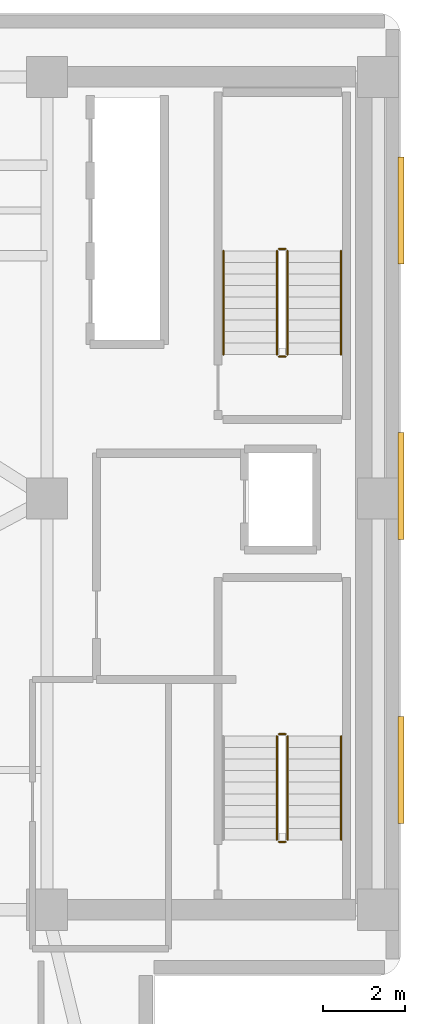
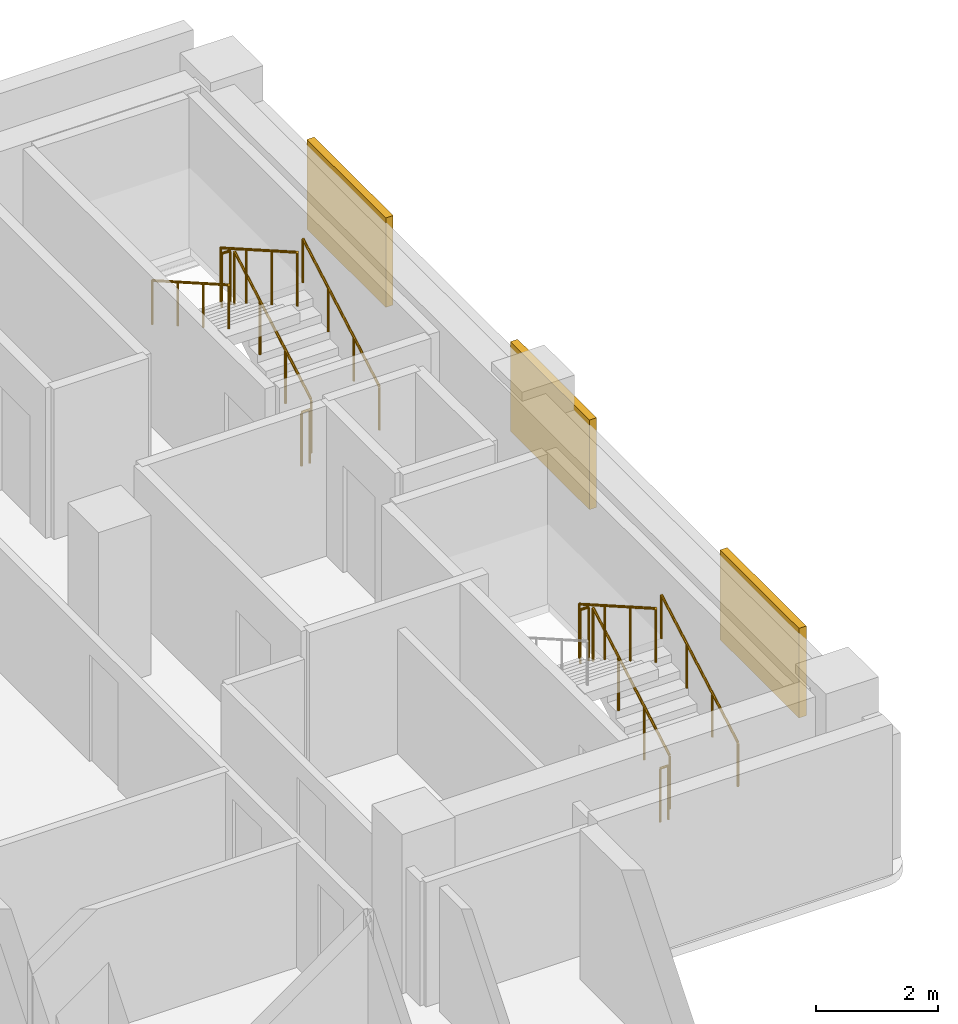
# One storey, part 17 of 17: 11 railings, 3 shading devices.
"""IFC4 building model written with IfcOpenShell, lengths in metres."""

import ifcopenshell
import ifcopenshell.guid

model = None  # the IFC model being written
_history = None  # IfcOwnerHistory: only IFC2X3 demands one
_inside = {}  # id of a spatial element -> (the spatial element, [elements in it])
_under = {}  # id of a project, library or spatial element -> (it, [spatial elements below it])
_declared = {}  # id of a project -> (the project, [libraries it declares])
_typed = {}  # id of a type object -> (the type object, [elements of that type])
_made_of = {}  # id of a material, layer set ... -> (it, [elements and type objects made of it])


def new_model(schema):
    """Start an empty IFC model of exactly this schema.

    Asked for "IFC4X3", IfcOpenShell would pick the latest addendum, in which some entities
    have other attributes; the version numbers below select the first issue.
    IFC2X3 requires an IfcOwnerHistory on every rooted entity: one is made here for all.
    """
    global model, _history
    if schema == "IFC4X3":
        model = ifcopenshell.file(schema_version=(4, 3, 0, 0))
    else:
        model = ifcopenshell.file(schema=schema)
    _inside.clear()
    _under.clear()
    _declared.clear()
    _typed.clear()
    _made_of.clear()
    _history = None
    if model.schema == "IFC2X3":
        org = make("IfcOrganization", Name="unknown")
        user = make(
            "IfcPersonAndOrganization",
            ThePerson=make("IfcPerson", FamilyName="unknown"),
            TheOrganization=org,
        )
        app = make(
            "IfcApplication",
            ApplicationDeveloper=org,
            Version="unknown",
            ApplicationFullName="unknown",
            ApplicationIdentifier="unknown",
        )
        _history = make(
            "IfcOwnerHistory",
            OwningUser=user,
            OwningApplication=app,
            ChangeAction="ADDED",
            CreationDate=0,
        )
    return model


def make(cls, **values):
    """One entity of the class cls with the attributes given. An attribute that is None is left unset."""
    return model.create_entity(
        cls, **{name: value for name, value in values.items() if value is not None}
    )


def rooted(cls, **values):
    """An entity with a GlobalId (a new one), such as an element, a storey or a relation."""
    return make(cls, GlobalId=ifcopenshell.guid.new(), OwnerHistory=_history, **values)


def si_unit(unit_type, name, prefix=None):
    """IfcSIUnit, for example si_unit("LENGTHUNIT", "METRE", prefix="MILLI")."""
    return make("IfcSIUnit", UnitType=unit_type, Prefix=prefix, Name=name)


def assignment(units):
    """IfcUnitAssignment: the units of a project."""
    return None if units is None else make("IfcUnitAssignment", Units=units)


def point(xyz):
    """IfcCartesianPoint."""
    return None if xyz is None else make("IfcCartesianPoint", Coordinates=xyz)


def direction(xyz):
    """IfcDirection."""
    return None if xyz is None else make("IfcDirection", DirectionRatios=xyz)


def frame(location, z_axis=None, x_axis=None):
    """IfcAxis2Placement3D, a coordinate frame: its origin and axes. An axis left out is left unset."""
    return make(
        "IfcAxis2Placement3D",
        Location=point(location),
        Axis=direction(z_axis),
        RefDirection=direction(x_axis),
    )


def frame_2d(location, x_axis=None):
    """IfcAxis2Placement2D, a coordinate frame in the plane: its origin and x axis."""
    return make(
        "IfcAxis2Placement2D", Location=point(location), RefDirection=direction(x_axis)
    )


def origin():
    """The frame at (0, 0, 0) with its axes left unset."""
    return frame((0.0, 0.0, 0.0))


def origin_2d():
    """The frame at (0, 0) in the plane with its x axis left unset."""
    return frame_2d((0.0, 0.0))


def place(relative_to, where):
    """IfcLocalPlacement: puts the frame where relative to a parent placement (None: the world)."""
    return make(
        "IfcLocalPlacement", PlacementRelTo=relative_to, RelativePlacement=where
    )


def context(
    kind, dimensions, precision=None, world=None, true_north=None, identifier=None
):
    """IfcGeometricRepresentationContext, for example the 3D "Model" context."""
    return make(
        "IfcGeometricRepresentationContext",
        ContextIdentifier=identifier,
        ContextType=kind,
        CoordinateSpaceDimension=dimensions,
        Precision=precision,
        WorldCoordinateSystem=world,
        TrueNorth=true_north,
    )


def subcontext(parent, identifier, kind, view, scale=None):
    """IfcGeometricRepresentationSubContext, for example "Body" below "Model"."""
    return make(
        "IfcGeometricRepresentationSubContext",
        ContextIdentifier=identifier,
        ContextType=kind,
        ParentContext=parent,
        TargetScale=scale,
        TargetView=view,
    )


def project(units=None, contexts=None):
    """IfcProject with its units and contexts."""
    return rooted(
        "IfcProject",
        Name="project",
        RepresentationContexts=contexts,
        UnitsInContext=assignment(units),
    )


def spatial(cls, under=None, at=None, **own):
    """A site, building, storey or space (cls), placed at a placement, below another one or the project."""
    s = rooted(cls, ObjectPlacement=at, **own)
    if under is not None:
        _under.setdefault(under.id(), (under, []))[1].append(s)
    return s


def profile(cls, at=None, kind="AREA", **sizes):
    """A parametric profile (cls). Its sizes go by their IFC names, for example OverallWidth=200.0."""
    return make(cls, ProfileType=kind, Position=at, **sizes)


def rectangle(**sizes):
    """IfcRectangleProfileDef."""
    return profile("IfcRectangleProfileDef", **sizes)


def circle(**sizes):
    """IfcCircleProfileDef."""
    return profile("IfcCircleProfileDef", **sizes)


def extrude(swept, where, along, depth):
    """IfcExtrudedAreaSolid: the profile swept, set in the frame where, extruded along a direction by depth."""
    return make(
        "IfcExtrudedAreaSolid",
        SweptArea=swept,
        Position=where,
        ExtrudedDirection=direction(along),
        Depth=depth,
    )


def shape(context_of_items, identifier, shape_type, items):
    """IfcShapeRepresentation: the items that make up one representation, for example the "Body"."""
    return make(
        "IfcShapeRepresentation",
        ContextOfItems=context_of_items,
        RepresentationIdentifier=identifier,
        RepresentationType=shape_type,
        Items=items,
    )


def material(Name=None, Category=None):
    """IfcMaterial."""
    return make("IfcMaterial", Name=Name, Category=Category)


def layer(
    of_material, thickness, ventilated=None, Name=None, Category=None, Priority=None
):
    """IfcMaterialLayer: one layer of a wall or slab, of a material (None: an air gap)."""
    return make(
        "IfcMaterialLayer",
        Material=of_material,
        LayerThickness=thickness,
        IsVentilated=ventilated,
        Name=Name,
        Category=Category,
        Priority=Priority,
    )


def layer_set(layers, Name=None):
    """IfcMaterialLayerSet."""
    return make("IfcMaterialLayerSet", MaterialLayers=layers, LayerSetName=Name)


def made_of(thing, what):
    """Note that an element or type object is made of a material, layer set ...; save() writes the relation."""
    if what is not None:
        _made_of.setdefault(what.id(), (what, []))[1].append(thing)
    return thing


def type_object(cls, material=None, **own):
    """A type object (cls), such as IfcWallType, which elements share."""
    return made_of(rooted(cls, **own), material)


def element(
    cls,
    number,
    at=None,
    inside=None,
    cuts=None,
    type_object=None,
    material=None,
    context=None,
    identifier="Body",
    shape_type=None,
    held_by="IfcProductDefinitionShape",
    body=None,
    shapes=None,
    **own,
):
    """One element of the class cls, such as IfcWall. Its Tag is "e" and its number.

    at: its placement. inside: the storey or other place that contains it. cuts: it is an
    opening in that element (IfcRelVoidsElement). A single representation is given by context,
    identifier, shape_type and body (its items); several are given by shapes. held_by: the class
    of the entity that holds the representations. save() writes the other relations.
    """
    e = rooted(cls, Tag="e%d" % number, ObjectPlacement=at, **own)
    if body is not None:
        shapes = [shape(context, identifier, shape_type, body)]
    if shapes is not None:
        e.Representation = make(held_by, Representations=shapes)
    if inside is not None:
        _inside.setdefault(inside.id(), (inside, []))[1].append(e)
    if cuts is not None:
        rooted(
            "IfcRelVoidsElement", RelatingBuildingElement=cuts, RelatedOpeningElement=e
        )
    if type_object is not None:
        _typed.setdefault(type_object.id(), (type_object, []))[1].append(e)
    return made_of(e, material)


def aggregate(whole, parts):
    """IfcRelAggregates: a whole, such as a stair, and the parts it consists of."""
    return rooted("IfcRelAggregates", RelatingObject=whole, RelatedObjects=parts)


def save(model, path):
    """Write the relations noted so far, then the file.

    IfcRelAggregates (storeys below a building ...), IfcRelContainedInSpatialStructure (elements
    in a storey), IfcRelDefinesByType, IfcRelAssociatesMaterial and IfcRelDeclares: one each for
    every whole, place, type object, material and project.
    """
    for whole, parts in _under.values():
        aggregate(whole, parts)
    for where, things in _inside.values():
        rooted(
            "IfcRelContainedInSpatialStructure",
            RelatedElements=things,
            RelatingStructure=where,
        )
    for kind, things in _typed.values():
        rooted("IfcRelDefinesByType", RelatedObjects=things, RelatingType=kind)
    for what, things in _made_of.values():
        rooted("IfcRelAssociatesMaterial", RelatedObjects=things, RelatingMaterial=what)
    for by, libraries in _declared.values():
        rooted("IfcRelDeclares", RelatingContext=by, RelatedDefinitions=libraries)
    model.write(path)


model = new_model("IFC4")

# Units and contexts
model_context = context("Model", 3, precision=1e-05, world=origin(), true_north=direction((0.0, 1.0)))
body_context = subcontext(model_context, "Body", "Model", "MODEL_VIEW")
ifc_project = project(units=[si_unit("LENGTHUNIT", "METRE"), si_unit("AREAUNIT", "SQUARE_METRE"), si_unit("VOLUMEUNIT", "CUBIC_METRE"), si_unit("PLANEANGLEUNIT", "RADIAN"), si_unit("MASSUNIT", "GRAM", prefix="KILO")], contexts=[model_context])

# Site, building, storey
site_placement = place(None, origin())
site = spatial("IfcSite", under=ifc_project, at=site_placement, CompositionType="ELEMENT")
building_placement = place(site_placement, origin())
building = spatial("IfcBuilding", under=site, at=building_placement, Name="Kuzgunbayir Cultural Tower", CompositionType="ELEMENT")
storey_placement = place(building_placement, frame((0.0, 0.0, 43.60009765625)))
storey = spatial("IfcBuildingStorey", under=building, at=storey_placement, Name="L11", CompositionType="ELEMENT", Elevation=43.60009765625)

# Railings
ifc_material_1 = material(Name="Brushed Stainless Steel", Category="steel")
ifc_layer_1 = layer(ifc_material_1, 0.050048828125)
ifc_layer_set_1 = layer_set([ifc_layer_1], Name="Brushed Stainless Steel")
railing_type_1 = type_object("IfcRailingType", Name="RLG-STAIR-HANDRAIL", PredefinedType="HANDRAIL", material=ifc_layer_set_1)
for number, where, name in (
    (1, (71.75, 23.699951171875, 0.159912109375), "L11 ST-3 stair handrail 1"),
    (2, (71.75, 35.5, 0.159912109375), "L11 ST-4 stair handrail 1"),
):
    element("IfcRailing", number, at=place(storey_placement, frame(where)), inside=storey, type_object=railing_type_1, Name=name, PredefinedType="HANDRAIL", context=body_context, shape_type="SweptSolid", body=[
        extrude(circle(Radius=0.02392578125, at=origin_2d()), frame((0.0, 0.0, 0.8759765625), z_axis=(0.0, 0.868253494771, 0.496120820787), x_axis=(-1.0, 0.0, 0.0)), (0.0, 0.0, 1.0), 2.90234375),
        extrude(circle(Radius=0.02099609375, at=origin_2d()), origin(), (0.0, 0.0, 1.0), 0.851806640625),
        extrude(circle(Radius=0.02099609375, at=origin_2d()), frame((0.0, 0.840087890625, 0.47998046875)), (0.0, 0.0, 1.0), 0.851806640625),
        extrude(circle(Radius=0.02099609375, at=origin_2d()), frame((0.0, 1.679931640625, 0.9599609375)), (0.0, 0.0, 1.0), 0.851806640625),
        extrude(circle(Radius=0.02099609375, at=origin_2d()), frame((0.0, 2.52001953125, 1.43994140625)), (0.0, 0.0, 1.0), 0.851806640625),
    ])
railing_1_placement = place(storey_placement, frame((68.889892578125, 38.02001953125, 1.760009765625)))
element("IfcRailing", 3, at=railing_1_placement, inside=storey, type_object=railing_type_1, Name="L11 ST-4 stair handrail 2", PredefinedType="HANDRAIL", context=body_context, shape_type="SweptSolid", body=[
    extrude(circle(Radius=0.02392578125, at=origin_2d()), frame((0.0, 0.0, 0.8759765625), z_axis=(0.0, -0.868253494771, 0.496120820787), x_axis=(1.0, 0.0, 0.0)), (0.0, 0.0, 1.0), 2.90234375),
    extrude(circle(Radius=0.02099609375, at=origin_2d()), origin(), (0.0, 0.0, 1.0), 0.851806640625),
    extrude(circle(Radius=0.02099609375, at=origin_2d()), frame((0.0, -0.840087890625, 0.47998046875)), (0.0, 0.0, 1.0), 0.851806640625),
    extrude(circle(Radius=0.02099609375, at=origin_2d()), frame((0.0, -1.679931640625, 0.9599609375)), (0.0, 0.0, 1.0), 0.851806640625),
    extrude(circle(Radius=0.02099609375, at=origin_2d()), frame((0.0, -2.52001953125, 1.43994140625)), (0.0, 0.0, 1.0), 0.851806640625),
])
ifc_material_2 = material(Name="Painted Steel Balustrade", Category="steel")
ifc_layer_2 = layer(ifc_material_2, 0.06005859375)
ifc_layer_set_2 = layer_set([ifc_layer_2], Name="Painted Steel Balustrade")
railing_type_2 = type_object("IfcRailingType", Name="RLG-WELL-GUARD", PredefinedType="GUARDRAIL", material=ifc_layer_set_2)
railing_2_placement = place(storey_placement, frame((70.449951171875, 23.699951171875, 0.159912109375)))
element("IfcRailing", 4, at=railing_2_placement, inside=storey, type_object=railing_type_2, Name="L11 ST-3 stair guard 1", PredefinedType="GUARDRAIL", context=body_context, shape_type="SweptSolid", body=[
    extrude(circle(Radius=0.02392578125, at=origin_2d()), frame((0.0, 0.0, 1.076171875), z_axis=(0.0, 0.868253494771, 0.496120820787), x_axis=(-1.0, 0.0, 0.0)), (0.0, 0.0, 1.0), 2.90234375),
    extrude(circle(Radius=0.02099609375, at=origin_2d()), origin(), (0.0, 0.0, 1.0), 1.052001953125),
    extrude(circle(Radius=0.02099609375, at=origin_2d()), frame((0.0, 0.840087890625, 0.47998046875)), (0.0, 0.0, 1.0), 1.052001953125),
    extrude(circle(Radius=0.02099609375, at=origin_2d()), frame((0.0, 1.679931640625, 0.9599609375)), (0.0, 0.0, 1.0), 1.052001953125),
    extrude(circle(Radius=0.02099609375, at=origin_2d()), frame((0.0, 2.52001953125, 1.43994140625)), (0.0, 0.0, 1.0), 1.052001953125),
])
railing_3_placement = place(storey_placement, frame((70.39990234375, 26.27001953125, 1.599853515625)))
element("IfcRailing", 5, at=railing_3_placement, inside=storey, type_object=railing_type_2, Name="L11 ST-3 stair guard 2", PredefinedType="GUARDRAIL", context=body_context, shape_type="SweptSolid", body=[
    extrude(circle(Radius=0.02392578125, at=origin_2d()), frame((0.0, 0.0, 1.076171875), z_axis=(-1.0, 0.0, 0.0), x_axis=(0.0, -1.0, 0.0)), (0.0, 0.0, 1.0), 0.159912109375),
    extrude(circle(Radius=0.02099609375, at=origin_2d()), origin(), (0.0, 0.0, 1.0), 1.052001953125),
    extrude(circle(Radius=0.02099609375, at=origin_2d()), frame((-0.159912109375, 0.0, 0.0)), (0.0, 0.0, 1.0), 1.052001953125),
])
railing_4_placement = place(storey_placement, frame((70.18994140625, 26.219970703125, 1.760009765625)))
element("IfcRailing", 6, at=railing_4_placement, inside=storey, type_object=railing_type_2, Name="L11 ST-3 stair guard 3", PredefinedType="GUARDRAIL", context=body_context, shape_type="SweptSolid", body=[
    extrude(circle(Radius=0.02392578125, at=origin_2d()), frame((0.0, 0.0, 1.076171875), z_axis=(0.0, -0.868253494771, 0.496120820787), x_axis=(1.0, 0.0, 0.0)), (0.0, 0.0, 1.0), 2.90234375),
    extrude(circle(Radius=0.02099609375, at=origin_2d()), origin(), (0.0, 0.0, 1.0), 1.052001953125),
    extrude(circle(Radius=0.02099609375, at=origin_2d()), frame((0.0, -0.840087890625, 0.47998046875)), (0.0, 0.0, 1.0), 1.052001953125),
    extrude(circle(Radius=0.02099609375, at=origin_2d()), frame((0.0, -1.679931640625, 0.9599609375)), (0.0, 0.0, 1.0), 1.052001953125),
    extrude(circle(Radius=0.02099609375, at=origin_2d()), frame((0.0, -2.52001953125, 1.43994140625)), (0.0, 0.0, 1.0), 1.052001953125),
])
railing_5_placement = place(storey_placement, frame((70.39990234375, 23.64990234375, 0.0)))
element("IfcRailing", 7, at=railing_5_placement, inside=storey, type_object=railing_type_2, Name="L11 ST-3 stair guard 4", PredefinedType="GUARDRAIL", context=body_context, shape_type="SweptSolid", body=[
    extrude(circle(Radius=0.02392578125, at=origin_2d()), frame((0.0, 0.0, 1.076171875), z_axis=(-1.0, 0.0, 0.0), x_axis=(0.0, -1.0, 0.0)), (0.0, 0.0, 1.0), 0.159912109375),
    extrude(circle(Radius=0.02099609375, at=origin_2d()), origin(), (0.0, 0.0, 1.0), 1.052001953125),
    extrude(circle(Radius=0.02099609375, at=origin_2d()), frame((-0.159912109375, 0.0, 0.0)), (0.0, 0.0, 1.0), 1.052001953125),
])
railing_6_placement = place(storey_placement, frame((70.449951171875, 35.5, 0.159912109375)))
element("IfcRailing", 8, at=railing_6_placement, inside=storey, type_object=railing_type_2, Name="L11 ST-4 stair guard 1", PredefinedType="GUARDRAIL", context=body_context, shape_type="SweptSolid", body=[
    extrude(circle(Radius=0.02392578125, at=origin_2d()), frame((0.0, 0.0, 1.076171875), z_axis=(0.0, 0.868253494771, 0.496120820787), x_axis=(-1.0, 0.0, 0.0)), (0.0, 0.0, 1.0), 2.90234375),
    extrude(circle(Radius=0.02099609375, at=origin_2d()), origin(), (0.0, 0.0, 1.0), 1.052001953125),
    extrude(circle(Radius=0.02099609375, at=origin_2d()), frame((0.0, 0.840087890625, 0.47998046875)), (0.0, 0.0, 1.0), 1.052001953125),
    extrude(circle(Radius=0.02099609375, at=origin_2d()), frame((0.0, 1.679931640625, 0.9599609375)), (0.0, 0.0, 1.0), 1.052001953125),
    extrude(circle(Radius=0.02099609375, at=origin_2d()), frame((0.0, 2.52001953125, 1.43994140625)), (0.0, 0.0, 1.0), 1.052001953125),
])
railing_7_placement = place(storey_placement, frame((70.39990234375, 38.070068359375, 1.599853515625)))
element("IfcRailing", 9, at=railing_7_placement, inside=storey, type_object=railing_type_2, Name="L11 ST-4 stair guard 2", PredefinedType="GUARDRAIL", context=body_context, shape_type="SweptSolid", body=[
    extrude(circle(Radius=0.02392578125, at=origin_2d()), frame((0.0, 0.0, 1.076171875), z_axis=(-1.0, 0.0, 0.0), x_axis=(0.0, -1.0, 0.0)), (0.0, 0.0, 1.0), 0.159912109375),
    extrude(circle(Radius=0.02099609375, at=origin_2d()), origin(), (0.0, 0.0, 1.0), 1.052001953125),
    extrude(circle(Radius=0.02099609375, at=origin_2d()), frame((-0.159912109375, 0.0, 0.0)), (0.0, 0.0, 1.0), 1.052001953125),
])
railing_8_placement = place(storey_placement, frame((70.18994140625, 38.02001953125, 1.760009765625)))
element("IfcRailing", 10, at=railing_8_placement, inside=storey, type_object=railing_type_2, Name="L11 ST-4 stair guard 3", PredefinedType="GUARDRAIL", context=body_context, shape_type="SweptSolid", body=[
    extrude(circle(Radius=0.02392578125, at=origin_2d()), frame((0.0, 0.0, 1.076171875), z_axis=(0.0, -0.868253494771, 0.496120820787), x_axis=(1.0, 0.0, 0.0)), (0.0, 0.0, 1.0), 2.90234375),
    extrude(circle(Radius=0.02099609375, at=origin_2d()), origin(), (0.0, 0.0, 1.0), 1.052001953125),
    extrude(circle(Radius=0.02099609375, at=origin_2d()), frame((0.0, -0.840087890625, 0.47998046875)), (0.0, 0.0, 1.0), 1.052001953125),
    extrude(circle(Radius=0.02099609375, at=origin_2d()), frame((0.0, -1.679931640625, 0.9599609375)), (0.0, 0.0, 1.0), 1.052001953125),
    extrude(circle(Radius=0.02099609375, at=origin_2d()), frame((0.0, -2.52001953125, 1.43994140625)), (0.0, 0.0, 1.0), 1.052001953125),
])
railing_9_placement = place(storey_placement, frame((70.39990234375, 35.449951171875, 0.0)))
element("IfcRailing", 11, at=railing_9_placement, inside=storey, type_object=railing_type_2, Name="L11 ST-4 stair guard 4", PredefinedType="GUARDRAIL", context=body_context, shape_type="SweptSolid", body=[
    extrude(circle(Radius=0.02392578125, at=origin_2d()), frame((0.0, 0.0, 1.076171875), z_axis=(-1.0, 0.0, 0.0), x_axis=(0.0, -1.0, 0.0)), (0.0, 0.0, 1.0), 0.159912109375),
    extrude(circle(Radius=0.02099609375, at=origin_2d()), origin(), (0.0, 0.0, 1.0), 1.052001953125),
    extrude(circle(Radius=0.02099609375, at=origin_2d()), frame((-0.159912109375, 0.0, 0.0)), (0.0, 0.0, 1.0), 1.052001953125),
])

# Shading devices
ifc_material_3 = material(Name="Perforated Bronze-Anodised Aluminium", Category="aluminium")
shading_device_type = type_object("IfcShadingDeviceType", Name="SHD-SOLAR-BRONZE", PredefinedType="JALOUSIE", material=ifc_material_3)
for number, where, z_axis, x_axis, name in (
    (12, (73.2099609375, 25.39990234375, 0.7998046875), (0.0, 0.0, 1.0), (1.0, 0.0, 0.0), "L11 Companion East Bronze Solar Screen 25"),
    (13, (73.2099609375, 32.300048828125, 0.7998046875), (0.0, 0.0, 1.0), (1.0, 0.0, 0.0), "L11 Companion East Bronze Solar Screen 32"),
    (14, (73.2099609375, 39.0, 0.7998046875), (0.0, 0.0, 1.0), (1.0, 0.0, 0.0), "L11 Companion East Bronze Solar Screen 39"),
):
    element("IfcShadingDevice", number, at=place(storey_placement, frame(where, z_axis=z_axis, x_axis=x_axis)), inside=storey, type_object=shading_device_type, Name=name, PredefinedType="JALOUSIE", context=body_context, shape_type="SweptSolid", body=[
        extrude(rectangle(XDim=0.139892578125, YDim=2.60009765625, at=origin_2d()), origin(), (0.0, 0.0, 1.0), 1.800048828125),
    ])

save(model, "model.ifc")
